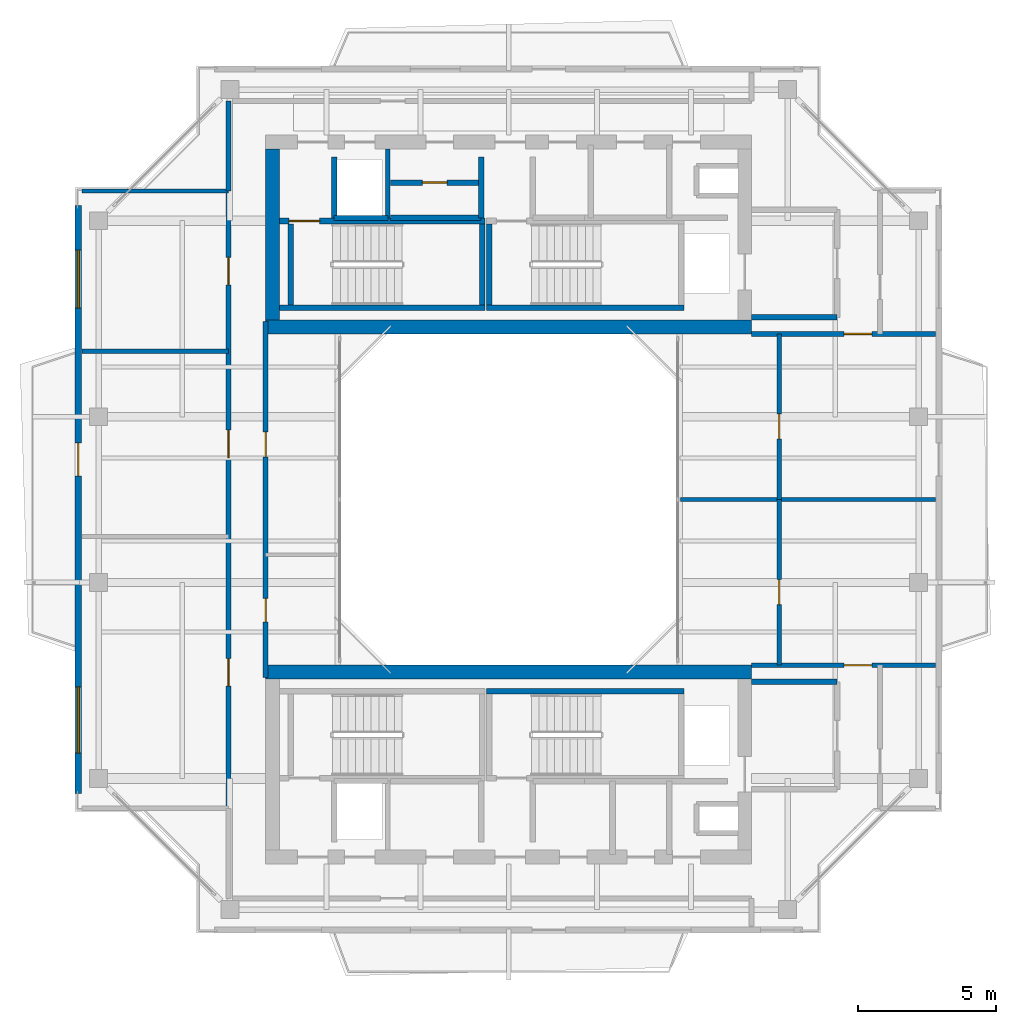
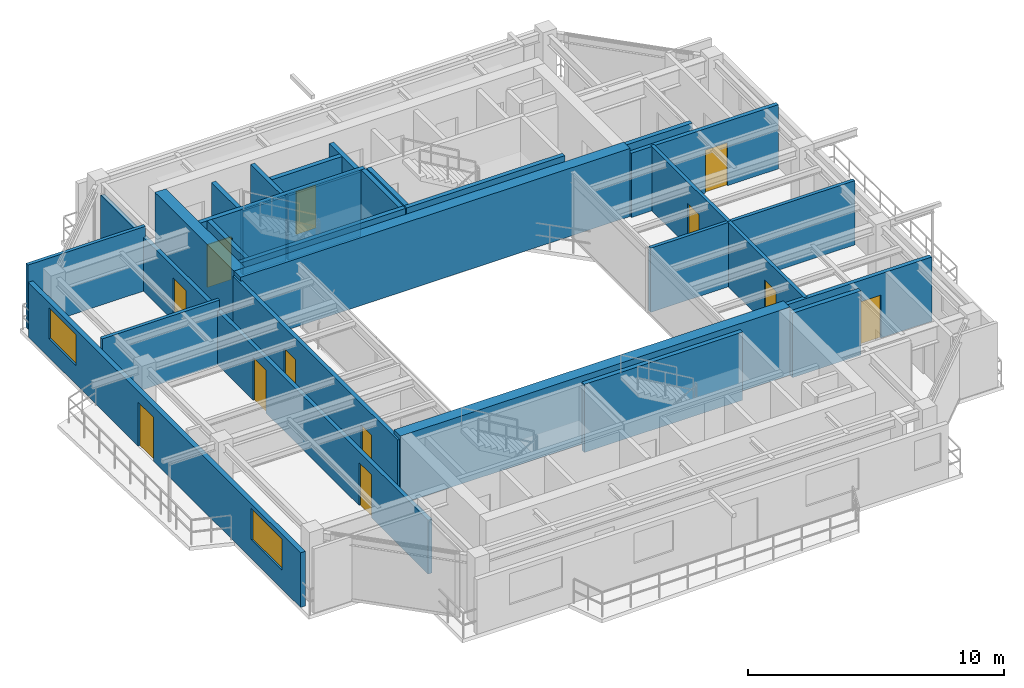
# One storey, part 10 of 14: 29 walls, 12 doors, 2 windows, 14 openings.
"""IFC4 building model written with IfcOpenShell, lengths in metres."""

from ifc_helpers import new_model, si_unit, direction, frame, frame_2d, origin, place, context, subcontext, project, spatial, rectangle, extrude, source, transform, mapped, material, layer, layer_set, type_object, element, fill, save


model = new_model("IFC4")

# Units and contexts
model_context = context("Model", 3, precision=1e-05, world=origin(), true_north=direction((0.0, 1.0)))
body_context = subcontext(model_context, "Body", "Model", "MODEL_VIEW")
ifc_project = project(units=[si_unit("LENGTHUNIT", "METRE"), si_unit("AREAUNIT", "SQUARE_METRE"), si_unit("VOLUMEUNIT", "CUBIC_METRE"), si_unit("PLANEANGLEUNIT", "RADIAN"), si_unit("MASSUNIT", "GRAM", prefix="KILO"), si_unit("THERMODYNAMICTEMPERATUREUNIT", "KELVIN"), si_unit("POWERUNIT", "WATT")], contexts=[model_context])

# Site, building, storey
site_placement = place(None, origin())
site = spatial("IfcSite", under=ifc_project, at=site_placement, CompositionType="ELEMENT")
building_placement = place(site_placement, origin())
building = spatial("IfcBuilding", under=site, at=building_placement, Name="Qiaomeng Ring Towers", CompositionType="ELEMENT")
storey_placement = place(building_placement, frame((0.0, 0.0, 240.5)))
storey = spatial("IfcBuildingStorey", under=building, at=storey_placement, Name="L70", CompositionType="ELEMENT", Elevation=240.5)

# Wall, openings, windows, door
ifc_material_1 = material(Name="Precast concrete C40", Category="concrete")
ifc_layer_1 = layer(ifc_material_1, 0.219970703125, Name="Precast concrete C40")
ifc_layer_set_1 = layer_set([ifc_layer_1], Name="Precast concrete C40")
wall_type_1 = type_object("IfcWallType", Name="ARC-WL-EW2", PredefinedType="STANDARD", material=ifc_layer_set_1)
wall_1_placement = place(storey_placement, frame((3.409912109375, 12.35009765625, 0.0), z_axis=(0.0, 0.0, 1.0), x_axis=(0.0, 1.0, 0.0)))
wall_1 = element("IfcWall", 1, at=wall_1_placement, inside=storey, type_object=wall_type_1, Name="L70 Tower 1 W Exterior Wall", PredefinedType="STANDARD", context=body_context, shape_type="SweptSolid", body=[
    extrude(rectangle(XDim=21.2998046875, YDim=0.219970703125, at=frame_2d((10.64990234375, 0.0))), origin(), (0.0, 0.0, 1.0), 2.610107421875),
])
opening_1_placement = place(wall_1_placement, frame((11.5, 0.0, 0.0)))
opening_1 = element("IfcOpeningElement", 2, at=opening_1_placement, cuts=wall_1, Name="Opening BD1", PredefinedType="OPENING", context=body_context, shape_type="SweptSolid", body=[
    extrude(rectangle(XDim=1.199951171875, YDim=2.10009765625, at=frame_2d((0.60009765625, 1.050048828125))), frame((0.0, 0.119873046875, 0.0), z_axis=(0.0, -1.0, 0.0), x_axis=(1.0, 0.0, 0.0)), (0.0, 0.0, 1.0), 0.239990234375),
])
opening_2_placement = place(wall_1_placement, frame((1.462890625, 0.0, 0.89990234375)))
opening_2 = element("IfcOpeningElement", 3, at=opening_2_placement, cuts=wall_1, Name="Opening WN6", PredefinedType="OPENING", context=body_context, shape_type="SweptSolid", body=[
    extrude(rectangle(XDim=2.39990234375, YDim=1.47998046875, at=frame_2d((1.199951171875, 0.739990234375))), frame((0.0, 0.119873046875, 0.0), z_axis=(0.0, -1.0, 0.0), x_axis=(1.0, 0.0, 0.0)), (0.0, 0.0, 1.0), 0.239990234375),
])
opening_3_placement = place(wall_1_placement, frame((17.587890625, 0.0, 0.89990234375)))
opening_3 = element("IfcOpeningElement", 4, at=opening_3_placement, cuts=wall_1, Name="Opening WN4", PredefinedType="OPENING", context=body_context, shape_type="SweptSolid", body=[
    extrude(rectangle(XDim=2.10009765625, YDim=1.47998046875, at=frame_2d((1.050048828125, 0.739990234375))), frame((0.0, 0.119873046875, 0.0), z_axis=(0.0, -1.0, 0.0), x_axis=(1.0, 0.0, 0.0)), (0.0, 0.0, 1.0), 0.239990234375),
])
ifc_material_2 = material(Name="Low-E dark-grey laminated double glazing", Category="glass")
window_type_1 = type_object("IfcWindowType", Name="ARC-WN-4", PartitioningType="TRIPLE_PANEL_VERTICAL", PredefinedType="WINDOW", material=ifc_material_2)
shared_shape_1 = source(origin(), body_context, "Body", "SweptSolid", [
    extrude(rectangle(XDim=2.10009765625, YDim=1.47998046875, at=frame_2d((1.050048828125, 0.739990234375))), frame((0.0, 0.030029296875, 0.0), z_axis=(0.0, -1.0, 0.0), x_axis=(1.0, 0.0, 0.0)), (0.0, 0.0, 1.0), 0.06005859375),
])
window_1_placement = place(opening_3_placement, origin())
window_1 = element("IfcWindow", 5, at=window_1_placement, inside=storey, type_object=window_type_1, Name="L70 Exterior Window WN4", OverallHeight=1.47998046875, OverallWidth=2.10009765625, PartitioningType="TRIPLE_PANEL_VERTICAL", PredefinedType="WINDOW", context=body_context, shape_type="MappedRepresentation", body=[
    mapped(shared_shape_1, transform((0.0, 0.0, 0.0), x_axis=(1.0, 0.0, 0.0), y_axis=(0.0, 1.0, 0.0), z_axis=(0.0, 0.0, 1.0), scale=1.0)),
])
fill(opening_3, window_1)
window_type_2 = type_object("IfcWindowType", Name="ARC-WN-6", PartitioningType="TRIPLE_PANEL_VERTICAL", PredefinedType="WINDOW", material=ifc_material_2)
shared_shape_2 = source(origin(), body_context, "Body", "SweptSolid", [
    extrude(rectangle(XDim=2.39990234375, YDim=1.47998046875, at=frame_2d((1.199951171875, 0.739990234375))), frame((0.0, 0.030029296875, 0.0), z_axis=(0.0, -1.0, 0.0), x_axis=(1.0, 0.0, 0.0)), (0.0, 0.0, 1.0), 0.06005859375),
])
window_2_placement = place(opening_2_placement, origin())
window_2 = element("IfcWindow", 6, at=window_2_placement, inside=storey, type_object=window_type_2, Name="L70 Exterior Window WN6", OverallHeight=1.47998046875, OverallWidth=2.39990234375, PartitioningType="TRIPLE_PANEL_VERTICAL", PredefinedType="WINDOW", context=body_context, shape_type="MappedRepresentation", body=[
    mapped(shared_shape_2, transform((0.0, 0.0, 0.0), x_axis=(1.0, 0.0, 0.0), y_axis=(0.0, 1.0, 0.0), z_axis=(0.0, 0.0, 1.0), scale=1.0)),
])
fill(opening_2, window_2)
door_type_1 = type_object("IfcDoorType", Name="ARC-DR-BD1", OperationType="NOTDEFINED", PredefinedType="DOOR", material=ifc_material_2)
shared_shape_3 = source(origin(), body_context, "Body", "SweptSolid", [
    extrude(rectangle(XDim=1.199951171875, YDim=2.10009765625, at=frame_2d((0.60009765625, 1.050048828125))), frame((0.0, 0.02490234375, 0.0), z_axis=(0.0, -1.0, 0.0), x_axis=(1.0, 0.0, 0.0)), (0.0, 0.0, 1.0), 0.050048828125),
])
door_1_placement = place(opening_1_placement, frame((1.199951171875, 0.0, 0.0), z_axis=(0.0, 0.0, 1.0), x_axis=(-1.0, 0.0, 0.0)))
door_1 = element("IfcDoor", 7, at=door_1_placement, inside=storey, type_object=door_type_1, Name="L70 W Balcony Glazed Door", OperationType="SINGLE_SWING_LEFT", OverallHeight=2.10009765625, OverallWidth=1.199951171875, PredefinedType="DOOR", context=body_context, shape_type="MappedRepresentation", body=[
    mapped(shared_shape_3, transform((0.0, 0.0, 0.0), x_axis=(1.0, 0.0, 0.0), y_axis=(0.0, 1.0, 0.0), z_axis=(0.0, 0.0, 1.0), scale=1.0)),
])
fill(opening_1, door_1)

# Walls
ifc_material_3 = material(Name="Autoclaved aerated concrete block", Category="concrete")
ifc_layer_2 = layer(ifc_material_3, 0.199951171875, Name="Autoclaved aerated concrete block")
ifc_layer_set_2 = layer_set([ifc_layer_2], Name="Autoclaved aerated concrete block")
wall_type_2 = type_object("IfcWallType", Name="ARC-WL-PW1", PredefinedType="PARTITIONING", material=ifc_layer_set_2)
for number, where, z_axis, x_axis, name in (
    (8, (27.800048828125, 29.60009765625, 0.0), (0.0, 0.0, 1.0), (1.0, 0.0, 0.0), "L70 Interior Wall PW1"),
    (9, (27.800048828125, 16.39990234375, 0.0), (0.0, 0.0, 1.0), (1.0, 0.0, 0.0), "L70 Interior Wall PW1"),
):
    element("IfcWall", number, at=place(storey_placement, frame(where, z_axis=z_axis, x_axis=x_axis)), inside=storey, type_object=wall_type_2, Name=name, PredefinedType="PARTITIONING", context=body_context, shape_type="SweptSolid", body=[
        extrude(rectangle(XDim=3.099853515625, YDim=0.199951171875, at=frame_2d((1.5498046875, 0.0))), origin(), (0.0, 0.0, 1.0), 3.070068359375),
    ])
for number, where, z_axis, x_axis, name in (
    (10, (12.679931640625, 33.18994140625, 0.0), (0.0, 0.0, 1.0), (0.0, 1.0, 0.0), "L70 Interior Wall PW1"),
    (11, (18.0, 33.18994140625, 0.0), (0.0, 0.0, 1.0), (0.0, 1.0, 0.0), "L70 Interior Wall PW1"),
):
    element("IfcWall", number, at=place(storey_placement, frame(where, z_axis=z_axis, x_axis=x_axis)), inside=storey, type_object=wall_type_2, Name=name, PredefinedType="PARTITIONING", context=body_context, shape_type="SweptSolid", body=[
        extrude(rectangle(XDim=2.2099609375, YDim=0.199951171875, at=frame_2d((1.10498046875, 0.0))), origin(), (0.0, 0.0, 1.0), 3.070068359375),
    ])

# Wall, opening, door
wall_2_placement = place(storey_placement, frame((14.719970703125, 34.47998046875, 0.0), z_axis=(0.0, 0.0, 1.0), x_axis=(1.0, 0.0, 0.0)))
wall_2 = element("IfcWall", 12, at=wall_2_placement, inside=storey, type_object=wall_type_2, Name="L70 Interior Wall PW1", PredefinedType="PARTITIONING", context=body_context, shape_type="SweptSolid", body=[
    extrude(rectangle(XDim=3.280029296875, YDim=0.199951171875, at=frame_2d((1.64013671875, 0.0))), origin(), (0.0, 0.0, 1.0), 3.070068359375),
])
opening_4_placement = place(wall_2_placement, frame((1.14990234375, 0.0, 0.0)))
opening_4 = element("IfcOpeningElement", 13, at=opening_4_placement, cuts=wall_2, Name="Opening ID1", PredefinedType="OPENING", context=body_context, shape_type="SweptSolid", body=[
    extrude(rectangle(XDim=0.89990234375, YDim=2.050048828125, at=frame_2d((0.449951171875, 1.02490234375))), frame((0.0, 0.10986328125, 0.0), z_axis=(0.0, -1.0, 0.0), x_axis=(1.0, 0.0, 0.0)), (0.0, 0.0, 1.0), 0.219970703125),
])
ifc_material_4 = material(Name="Engineered oak timber", Category="wood")
door_type_2 = type_object("IfcDoorType", Name="ARC-DR-ID1", OperationType="NOTDEFINED", PredefinedType="DOOR", material=ifc_material_4)
shared_shape_4 = source(origin(), body_context, "Body", "SweptSolid", [
    extrude(rectangle(XDim=0.89990234375, YDim=2.050048828125, at=frame_2d((0.449951171875, 1.02490234375))), frame((0.0, 0.02490234375, 0.0), z_axis=(0.0, -1.0, 0.0), x_axis=(1.0, 0.0, 0.0)), (0.0, 0.0, 1.0), 0.050048828125),
])
door_2_placement = place(opening_4_placement, origin())
door_2 = element("IfcDoor", 14, at=door_2_placement, inside=storey, type_object=door_type_2, Name="L70 Door ID1", OperationType="SINGLE_SWING_RIGHT", OverallHeight=2.050048828125, OverallWidth=0.89990234375, PredefinedType="DOOR", context=body_context, shape_type="MappedRepresentation", body=[
    mapped(shared_shape_4, transform((0.0, 0.0, 0.0), x_axis=(1.0, 0.0, 0.0), y_axis=(0.0, 1.0, 0.0), z_axis=(0.0, 0.0, 1.0), scale=1.0)),
])
fill(opening_4, door_2)

# Walls
wall_3_placement = place(storey_placement, frame((14.719970703125, 33.199951171875, 0.0), z_axis=(0.0, 0.0, 1.0), x_axis=(1.0, 0.0, 0.0)))
element("IfcWall", 15, at=wall_3_placement, inside=storey, type_object=wall_type_2, Name="L70 Interior Wall PW1", PredefinedType="PARTITIONING", context=body_context, shape_type="SweptSolid", body=[
    extrude(rectangle(XDim=3.280029296875, YDim=0.199951171875, at=frame_2d((1.64013671875, 0.0))), origin(), (0.0, 0.0, 1.0), 3.070068359375),
])
ifc_layer_3 = layer(ifc_material_3, 0.179931640625, Name="Autoclaved aerated concrete block")
ifc_layer_set_3 = layer_set([ifc_layer_3], Name="Autoclaved aerated concrete block")
wall_type_3 = type_object("IfcWallType", Name="ARC-WL-PW2", PredefinedType="PARTITIONING", material=ifc_layer_set_3)
wall_4_placement = place(storey_placement, frame((8.85009765625, 34.179931640625, 0.0), z_axis=(0.0, 0.0, 1.0), x_axis=(0.0, 1.0, 0.0)))
element("IfcWall", 16, at=wall_4_placement, inside=storey, type_object=wall_type_3, Name="L70 Interior Wall PW2", PredefinedType="PARTITIONING", context=body_context, shape_type="SweptSolid", body=[
    extrude(rectangle(XDim=3.260009765625, YDim=0.179931640625, at=frame_2d((1.6298828125, 0.0))), origin(), (0.0, 0.0, 1.0), 2.569091796875),
])

# Wall, openings, doors
wall_5_placement = place(storey_placement, frame((8.85009765625, 11.820068359375, 0.0), z_axis=(0.0, 0.0, 1.0), x_axis=(0.0, 1.0, 0.0)))
wall_5 = element("IfcWall", 17, at=wall_5_placement, inside=storey, type_object=wall_type_3, Name="L70 Interior Wall PW2", PredefinedType="PARTITIONING", context=body_context, shape_type="SweptSolid", body=[
    extrude(rectangle(XDim=22.35986328125, YDim=0.179931640625, at=frame_2d((11.179931640625, 0.0))), origin(), (0.0, 0.0, 1.0), 2.569091796875),
])
opening_5_placement = place(wall_5_placement, frame((4.419921875, 0.0, 0.0)))
opening_5 = element("IfcOpeningElement", 18, at=opening_5_placement, cuts=wall_5, Name="Opening FD4", PredefinedType="OPENING", context=body_context, shape_type="SweptSolid", body=[
    extrude(rectangle(XDim=1.0, YDim=2.050048828125, at=frame_2d((0.5, 1.02490234375))), frame((0.0, 0.099853515625, 0.0), z_axis=(0.0, -1.0, 0.0), x_axis=(1.0, 0.0, 0.0)), (0.0, 0.0, 1.0), 0.199951171875),
])
opening_6_placement = place(wall_5_placement, frame((12.695068359375, 0.0, 0.0)))
opening_6 = element("IfcOpeningElement", 19, at=opening_6_placement, cuts=wall_5, Name="Opening FD4", PredefinedType="OPENING", context=body_context, shape_type="SweptSolid", body=[
    extrude(rectangle(XDim=1.0, YDim=2.050048828125, at=frame_2d((0.5, 1.02490234375))), frame((0.0, 0.099853515625, 0.0), z_axis=(0.0, -1.0, 0.0), x_axis=(1.0, 0.0, 0.0)), (0.0, 0.0, 1.0), 0.199951171875),
])
opening_7_placement = place(wall_5_placement, frame((18.955078125, 0.0, 0.0)))
opening_7 = element("IfcOpeningElement", 20, at=opening_7_placement, cuts=wall_5, Name="Opening FD4", PredefinedType="OPENING", context=body_context, shape_type="SweptSolid", body=[
    extrude(rectangle(XDim=1.0, YDim=2.050048828125, at=frame_2d((0.5, 1.02490234375))), frame((0.0, 0.099853515625, 0.0), z_axis=(0.0, -1.0, 0.0), x_axis=(1.0, 0.0, 0.0)), (0.0, 0.0, 1.0), 0.199951171875),
])
ifc_material_5 = material(Name="Engineered fire-rated oak timber", Category="wood")
door_type_3 = type_object("IfcDoorType", Name="ARC-DR-FD4", OperationType="NOTDEFINED", PredefinedType="DOOR", material=ifc_material_5)
shared_shape_5 = source(origin(), body_context, "Body", "SweptSolid", [
    extrude(rectangle(XDim=1.0, YDim=2.050048828125, at=frame_2d((0.5, 1.02490234375))), frame((0.0, 0.02490234375, 0.0), z_axis=(0.0, -1.0, 0.0), x_axis=(1.0, 0.0, 0.0)), (0.0, 0.0, 1.0), 0.050048828125),
])
door_3_placement = place(opening_5_placement, origin())
door_3 = element("IfcDoor", 21, at=door_3_placement, inside=storey, type_object=door_type_3, Name="L70 Door FD4", OperationType="SINGLE_SWING_LEFT", OverallHeight=2.050048828125, OverallWidth=1.0, PredefinedType="DOOR", context=body_context, shape_type="MappedRepresentation", body=[
    mapped(shared_shape_5, transform((0.0, 0.0, 0.0), x_axis=(1.0, 0.0, 0.0), y_axis=(0.0, 1.0, 0.0), z_axis=(0.0, 0.0, 1.0), scale=1.0)),
])
fill(opening_5, door_3)
door_4_placement = place(opening_6_placement, origin())
door_4 = element("IfcDoor", 22, at=door_4_placement, inside=storey, type_object=door_type_3, Name="L70 Door FD4", OperationType="SINGLE_SWING_RIGHT", OverallHeight=2.050048828125, OverallWidth=1.0, PredefinedType="DOOR", context=body_context, shape_type="MappedRepresentation", body=[
    mapped(shared_shape_5, transform((0.0, 0.0, 0.0), x_axis=(1.0, 0.0, 0.0), y_axis=(0.0, 1.0, 0.0), z_axis=(0.0, 0.0, 1.0), scale=1.0)),
])
fill(opening_6, door_4)
door_5_placement = place(opening_7_placement, origin())
door_5 = element("IfcDoor", 23, at=door_5_placement, inside=storey, type_object=door_type_3, Name="L70 Door FD4", OperationType="SINGLE_SWING_LEFT", OverallHeight=2.050048828125, OverallWidth=1.0, PredefinedType="DOOR", context=body_context, shape_type="MappedRepresentation", body=[
    mapped(shared_shape_5, transform((0.0, 0.0, 0.0), x_axis=(1.0, 0.0, 0.0), y_axis=(0.0, 1.0, 0.0), z_axis=(0.0, 0.0, 1.0), scale=1.0)),
])
fill(opening_7, door_5)

wall_6_placement = place(storey_placement, frame((10.199951171875, 16.550048828125, 0.0), z_axis=(0.0, 0.0, 1.0), x_axis=(0.0, 1.0, 0.0)))
wall_6 = element("IfcWall", 24, at=wall_6_placement, inside=storey, type_object=wall_type_3, Name="L70 Interior Wall PW2", PredefinedType="PARTITIONING", context=body_context, shape_type="SweptSolid", body=[
    extrude(rectangle(XDim=12.89990234375, YDim=0.179931640625, at=frame_2d((6.449951171875, 0.0))), origin(), (0.0, 0.0, 1.0), 3.070068359375),
])
opening_8_placement = place(wall_6_placement, frame((2.02490234375, 0.0, 0.0)))
opening_8 = element("IfcOpeningElement", 25, at=opening_8_placement, cuts=wall_6, Name="Opening ID2", PredefinedType="OPENING", context=body_context, shape_type="SweptSolid", body=[
    extrude(rectangle(XDim=0.85009765625, YDim=2.050048828125, at=frame_2d((0.425048828125, 1.02490234375))), frame((0.0, 0.099853515625, 0.0), z_axis=(0.0, -1.0, 0.0), x_axis=(1.0, 0.0, 0.0)), (0.0, 0.0, 1.0), 0.199951171875),
])
opening_9_placement = place(wall_6_placement, frame((8.0, 0.0, 0.0)))
opening_9 = element("IfcOpeningElement", 26, at=opening_9_placement, cuts=wall_6, Name="Opening ID1", PredefinedType="OPENING", context=body_context, shape_type="SweptSolid", body=[
    extrude(rectangle(XDim=0.89990234375, YDim=2.050048828125, at=frame_2d((0.449951171875, 1.02490234375))), frame((0.0, 0.099853515625, 0.0), z_axis=(0.0, -1.0, 0.0), x_axis=(1.0, 0.0, 0.0)), (0.0, 0.0, 1.0), 0.199951171875),
])
ifc_material_6 = material(Name="Moisture-resistant engineered timber", Category="wood")
door_type_4 = type_object("IfcDoorType", Name="ARC-DR-ID2", OperationType="NOTDEFINED", PredefinedType="DOOR", material=ifc_material_6)
shared_shape_6 = source(origin(), body_context, "Body", "SweptSolid", [
    extrude(rectangle(XDim=0.85009765625, YDim=2.050048828125, at=frame_2d((0.425048828125, 1.02490234375))), frame((0.0, 0.02490234375, 0.0), z_axis=(0.0, -1.0, 0.0), x_axis=(1.0, 0.0, 0.0)), (0.0, 0.0, 1.0), 0.050048828125),
])
door_6_placement = place(opening_8_placement, origin())
door_6 = element("IfcDoor", 27, at=door_6_placement, inside=storey, type_object=door_type_4, Name="L70 Door ID2", OperationType="SINGLE_SWING_RIGHT", OverallHeight=2.050048828125, OverallWidth=0.85009765625, PredefinedType="DOOR", context=body_context, shape_type="MappedRepresentation", body=[
    mapped(shared_shape_6, transform((0.0, 0.0, 0.0), x_axis=(1.0, 0.0, 0.0), y_axis=(0.0, 1.0, 0.0), z_axis=(0.0, 0.0, 1.0), scale=1.0)),
])
fill(opening_8, door_6)
door_7_placement = place(opening_9_placement, origin())
door_7 = element("IfcDoor", 28, at=door_7_placement, inside=storey, type_object=door_type_2, Name="L70 Door ID1", OperationType="SINGLE_SWING_LEFT", OverallHeight=2.050048828125, OverallWidth=0.89990234375, PredefinedType="DOOR", context=body_context, shape_type="MappedRepresentation", body=[
    mapped(shared_shape_4, transform((0.0, 0.0, 0.0), x_axis=(1.0, 0.0, 0.0), y_axis=(0.0, 1.0, 0.0), z_axis=(0.0, 0.0, 1.0), scale=1.0)),
])
fill(opening_9, door_7)

# Wall, opening, door
wall_7_placement = place(storey_placement, frame((27.800048828125, 17.0, 0.0), z_axis=(0.0, 0.0, 1.0), x_axis=(1.0, 0.0, 0.0)))
wall_7 = element("IfcWall", 29, at=wall_7_placement, inside=storey, type_object=wall_type_3, Name="L70 Interior Wall PW2", PredefinedType="PARTITIONING", context=body_context, shape_type="SweptSolid", body=[
    extrude(rectangle(XDim=6.64990234375, YDim=0.179931640625, at=frame_2d((3.324951171875, 0.0))), origin(), (0.0, 0.0, 1.0), 3.070068359375),
])
opening_10_placement = place(wall_7_placement, frame((3.35009765625, 0.0, 0.0)))
opening_10 = element("IfcOpeningElement", 30, at=opening_10_placement, cuts=wall_7, Name="Opening FD4", PredefinedType="OPENING", context=body_context, shape_type="SweptSolid", body=[
    extrude(rectangle(XDim=1.0, YDim=2.050048828125, at=frame_2d((0.5, 1.02490234375))), frame((0.0, 0.099853515625, 0.0), z_axis=(0.0, -1.0, 0.0), x_axis=(1.0, 0.0, 0.0)), (0.0, 0.0, 1.0), 0.199951171875),
])
door_8_placement = place(opening_10_placement, origin())
door_8 = element("IfcDoor", 31, at=door_8_placement, inside=storey, type_object=door_type_3, Name="L70 Door FD4", OperationType="SINGLE_SWING_RIGHT", OverallHeight=2.050048828125, OverallWidth=1.0, PredefinedType="DOOR", context=body_context, shape_type="MappedRepresentation", body=[
    mapped(shared_shape_5, transform((0.0, 0.0, 0.0), x_axis=(1.0, 0.0, 0.0), y_axis=(0.0, 1.0, 0.0), z_axis=(0.0, 0.0, 1.0), scale=1.0)),
])
fill(opening_10, door_8)

wall_8_placement = place(storey_placement, frame((27.800048828125, 29.0, 0.0), z_axis=(0.0, 0.0, 1.0), x_axis=(1.0, 0.0, 0.0)))
wall_8 = element("IfcWall", 32, at=wall_8_placement, inside=storey, type_object=wall_type_3, Name="L70 Interior Wall PW2", PredefinedType="PARTITIONING", context=body_context, shape_type="SweptSolid", body=[
    extrude(rectangle(XDim=6.64990234375, YDim=0.179931640625, at=frame_2d((3.324951171875, 0.0))), origin(), (0.0, 0.0, 1.0), 3.070068359375),
])
opening_11_placement = place(wall_8_placement, frame((3.35009765625, 0.0, 0.0)))
opening_11 = element("IfcOpeningElement", 33, at=opening_11_placement, cuts=wall_8, Name="Opening FD4", PredefinedType="OPENING", context=body_context, shape_type="SweptSolid", body=[
    extrude(rectangle(XDim=1.0, YDim=2.050048828125, at=frame_2d((0.5, 1.02490234375))), frame((0.0, 0.099853515625, 0.0), z_axis=(0.0, -1.0, 0.0), x_axis=(1.0, 0.0, 0.0)), (0.0, 0.0, 1.0), 0.199951171875),
])
door_9_placement = place(opening_11_placement, origin())
door_9 = element("IfcDoor", 34, at=door_9_placement, inside=storey, type_object=door_type_3, Name="L70 Door FD4", OperationType="SINGLE_SWING_LEFT", OverallHeight=2.050048828125, OverallWidth=1.0, PredefinedType="DOOR", context=body_context, shape_type="MappedRepresentation", body=[
    mapped(shared_shape_5, transform((0.0, 0.0, 0.0), x_axis=(1.0, 0.0, 0.0), y_axis=(0.0, 1.0, 0.0), z_axis=(0.0, 0.0, 1.0), scale=1.0)),
])
fill(opening_11, door_9)

# Walls
ifc_material_7 = material(Name="Gypsum fireboard steel-stud partition", Category="steel")
ifc_layer_4 = layer(ifc_material_7, 0.14990234375, Name="Gypsum fireboard steel-stud partition")
ifc_layer_set_4 = layer_set([ifc_layer_4], Name="Gypsum fireboard steel-stud partition")
wall_type_4 = type_object("IfcWallType", Name="ARC-WL-PW3", PredefinedType="PARTITIONING", material=ifc_layer_set_4)
for number, where, z_axis, x_axis, name in (
    (35, (3.550048828125, 34.179931640625, 0.0), (0.0, 0.0, 1.0), (1.0, 0.0, 0.0), "L70 Interior Wall PW3"),
    (36, (3.550048828125, 28.3701171875, 0.0), (0.0, 0.0, 1.0), (1.0, 0.0, 0.0), "L70 Interior Wall PW3"),
):
    element("IfcWall", number, at=place(storey_placement, frame(where, z_axis=z_axis, x_axis=x_axis)), inside=storey, type_object=wall_type_4, Name=name, PredefinedType="PARTITIONING", context=body_context, shape_type="SweptSolid", body=[
        extrude(rectangle(XDim=5.300048828125, YDim=0.14990234375, at=frame_2d((2.64990234375, 0.0))), origin(), (0.0, 0.0, 1.0), 3.070068359375),
    ])

# Wall, opening, door
wall_9_placement = place(storey_placement, frame((28.800048828125, 17.0, 0.0), z_axis=(0.0, 0.0, 1.0), x_axis=(0.0, 1.0, 0.0)))
wall_9 = element("IfcWall", 37, at=wall_9_placement, inside=storey, type_object=wall_type_4, Name="L70 Interior Wall PW3", PredefinedType="PARTITIONING", context=body_context, shape_type="SweptSolid", body=[
    extrude(rectangle(XDim=6.0, YDim=0.14990234375, at=frame_2d((3.0, 0.0))), origin(), (0.0, 0.0, 1.0), 3.070068359375),
])
opening_12_placement = place(wall_9_placement, frame((2.199951171875, 0.0, 0.0)))
opening_12 = element("IfcOpeningElement", 38, at=opening_12_placement, cuts=wall_9, Name="Opening ID1", PredefinedType="OPENING", context=body_context, shape_type="SweptSolid", body=[
    extrude(rectangle(XDim=0.89990234375, YDim=2.050048828125, at=frame_2d((0.449951171875, 1.02490234375))), frame((0.0, 0.0849609375, 0.0), z_axis=(0.0, -1.0, 0.0), x_axis=(1.0, 0.0, 0.0)), (0.0, 0.0, 1.0), 0.169921875),
])
door_10_placement = place(opening_12_placement, origin())
door_10 = element("IfcDoor", 39, at=door_10_placement, inside=storey, type_object=door_type_2, Name="L70 Door ID1", OperationType="SINGLE_SWING_RIGHT", OverallHeight=2.050048828125, OverallWidth=0.89990234375, PredefinedType="DOOR", context=body_context, shape_type="MappedRepresentation", body=[
    mapped(shared_shape_4, transform((0.0, 0.0, 0.0), x_axis=(1.0, 0.0, 0.0), y_axis=(0.0, 1.0, 0.0), z_axis=(0.0, 0.0, 1.0), scale=1.0)),
])
fill(opening_12, door_10)

wall_10_placement = place(storey_placement, frame((28.800048828125, 23.0, 0.0), z_axis=(0.0, 0.0, 1.0), x_axis=(0.0, 1.0, 0.0)))
wall_10 = element("IfcWall", 40, at=wall_10_placement, inside=storey, type_object=wall_type_4, Name="L70 Interior Wall PW3", PredefinedType="PARTITIONING", context=body_context, shape_type="SweptSolid", body=[
    extrude(rectangle(XDim=6.0, YDim=0.14990234375, at=frame_2d((3.0, 0.0))), origin(), (0.0, 0.0, 1.0), 3.070068359375),
])
opening_13_placement = place(wall_10_placement, frame((2.199951171875, 0.0, 0.0)))
opening_13 = element("IfcOpeningElement", 41, at=opening_13_placement, cuts=wall_10, Name="Opening ID1", PredefinedType="OPENING", context=body_context, shape_type="SweptSolid", body=[
    extrude(rectangle(XDim=0.89990234375, YDim=2.050048828125, at=frame_2d((0.449951171875, 1.02490234375))), frame((0.0, 0.0849609375, 0.0), z_axis=(0.0, -1.0, 0.0), x_axis=(1.0, 0.0, 0.0)), (0.0, 0.0, 1.0), 0.169921875),
])
door_11_placement = place(opening_13_placement, origin())
door_11 = element("IfcDoor", 42, at=door_11_placement, inside=storey, type_object=door_type_2, Name="L70 Door ID1", OperationType="SINGLE_SWING_LEFT", OverallHeight=2.050048828125, OverallWidth=0.89990234375, PredefinedType="DOOR", context=body_context, shape_type="MappedRepresentation", body=[
    mapped(shared_shape_4, transform((0.0, 0.0, 0.0), x_axis=(1.0, 0.0, 0.0), y_axis=(0.0, 1.0, 0.0), z_axis=(0.0, 0.0, 1.0), scale=1.0)),
])
fill(opening_13, door_11)

# Walls
wall_11_placement = place(storey_placement, frame((25.219970703125, 23.0, 0.0), z_axis=(0.0, 0.0, 1.0), x_axis=(1.0, 0.0, 0.0)))
element("IfcWall", 43, at=wall_11_placement, inside=storey, type_object=wall_type_4, Name="L70 Interior Wall PW3", PredefinedType="PARTITIONING", context=body_context, shape_type="SweptSolid", body=[
    extrude(rectangle(XDim=9.22998046875, YDim=0.14990234375, at=frame_2d((4.614990234375, 0.0))), origin(), (0.0, 0.0, 1.0), 3.070068359375),
])
ifc_material_8 = material(Name="Concrete C40", Category="concrete")
ifc_layer_5 = layer(ifc_material_8, 0.199951171875, Name="Concrete C40")
ifc_layer_set_5 = layer_set([ifc_layer_5], Name="Concrete C40")
wall_type_5 = type_object("IfcWallType", Name="STR-WL-STSHAFT", PredefinedType="SHEAR", material=ifc_layer_set_5)
wall_12_placement = place(storey_placement, frame((12.679931640625, 33.199951171875, 0.0), z_axis=(0.0, 0.0, 1.0), x_axis=(1.0, 0.0, 0.0)))
element("IfcWall", 44, at=wall_12_placement, inside=storey, type_object=wall_type_5, Name="L70 Lift LP5 Shaft Back Wall", PredefinedType="SHEAR", context=body_context, shape_type="SweptSolid", body=[
    extrude(rectangle(XDim=1.940185546875, YDim=0.179931640625, at=frame_2d((0.97021484375, 0.0))), origin(), (0.0, 0.0, 1.0), 3.070068359375),
])
wall_13_placement = place(storey_placement, frame((14.6201171875, 33.199951171875, 0.0), z_axis=(0.0, 0.0, 1.0), x_axis=(0.0, 1.0, 0.0)))
element("IfcWall", 45, at=wall_13_placement, inside=storey, type_object=wall_type_5, Name="L70 Lift LP5-LP3 Shaft Divider Wall", PredefinedType="SHEAR", context=body_context, shape_type="SweptSolid", body=[
    extrude(rectangle(XDim=2.5, YDim=0.179931640625, at=frame_2d((1.25, 0.0))), origin(), (0.0, 0.0, 1.0), 3.070068359375),
])
wall_14_placement = place(storey_placement, frame((10.699951171875, 29.949951171875, 0.0), z_axis=(0.0, 0.0, 1.0), x_axis=(1.0, 0.0, 0.0)))
element("IfcWall", 46, at=wall_14_placement, inside=storey, type_object=wall_type_5, Name="L70 Stair ST1 South Shaft Shear Wall", PredefinedType="SHEAR", context=body_context, shape_type="SweptSolid", body=[
    extrude(rectangle(XDim=7.449951171875, YDim=0.199951171875, at=frame_2d((3.72509765625, 0.0))), origin(), (0.0, 0.0, 1.0), 3.25),
])

# Wall, opening, door
wall_15_placement = place(storey_placement, frame((10.699951171875, 33.090087890625, 0.0), z_axis=(0.0, 0.0, 1.0), x_axis=(1.0, 0.0, 0.0)))
wall_15 = element("IfcWall", 47, at=wall_15_placement, inside=storey, type_object=wall_type_5, Name="L70 Stair ST1 North Shaft Shear Wall", PredefinedType="SHEAR", context=body_context, shape_type="SweptSolid", body=[
    extrude(rectangle(XDim=7.449951171875, YDim=0.199951171875, at=frame_2d((3.72509765625, 0.0))), origin(), (0.0, 0.0, 1.0), 3.25),
])
opening_14_placement = place(wall_15_placement, frame((0.35009765625, 0.0, 0.0)))
opening_14 = element("IfcOpeningElement", 48, at=opening_14_placement, cuts=wall_15, Name="Opening FD3", PredefinedType="OPENING", context=body_context, shape_type="SweptSolid", body=[
    extrude(rectangle(XDim=1.10009765625, YDim=2.050048828125, at=frame_2d((0.550048828125, 1.02490234375))), frame((0.0, 0.10986328125, 0.0), z_axis=(0.0, -1.0, 0.0), x_axis=(1.0, 0.0, 0.0)), (0.0, 0.0, 1.0), 0.219970703125),
])
ifc_material_9 = material(Name="Galvanised steel", Category="steel")
door_type_5 = type_object("IfcDoorType", Name="ARC-DR-FD3", OperationType="NOTDEFINED", PredefinedType="DOOR", material=ifc_material_9)
shared_shape_7 = source(origin(), body_context, "Body", "SweptSolid", [
    extrude(rectangle(XDim=1.10009765625, YDim=2.050048828125, at=frame_2d((0.550048828125, 1.02490234375))), frame((0.0, 0.02490234375, 0.0), z_axis=(0.0, -1.0, 0.0), x_axis=(1.0, 0.0, 0.0)), (0.0, 0.0, 1.0), 0.050048828125),
])
door_12_placement = place(opening_14_placement, origin())
door_12 = element("IfcDoor", 49, at=door_12_placement, inside=storey, type_object=door_type_5, Name="L70 Stair ST1 Exit Door", OperationType="SINGLE_SWING_LEFT", OverallHeight=2.050048828125, OverallWidth=1.10009765625, PredefinedType="DOOR", context=body_context, shape_type="MappedRepresentation", body=[
    mapped(shared_shape_7, transform((0.0, 0.0, 0.0), x_axis=(1.0, 0.0, 0.0), y_axis=(0.0, 1.0, 0.0), z_axis=(0.0, 0.0, 1.0), scale=1.0)),
])
fill(opening_14, door_12)

# Walls
for number, where, z_axis, x_axis, name in (
    (50, (11.10009765625, 30.050048828125, 0.0), (0.0, 0.0, 1.0), (0.0, 1.0, 0.0), "L70 Stair ST1 West Shaft Shear Wall"),
    (51, (18.050048828125, 30.050048828125, 0.0), (0.0, 0.0, 1.0), (0.0, 1.0, 0.0), "L70 Stair ST1 East Shaft Shear Wall"),
):
    element("IfcWall", number, at=place(storey_placement, frame(where, z_axis=z_axis, x_axis=x_axis)), inside=storey, type_object=wall_type_5, Name=name, PredefinedType="SHEAR", context=body_context, shape_type="SweptSolid", body=[
        extrude(rectangle(XDim=2.93994140625, YDim=0.199951171875, at=frame_2d((1.469970703125, 0.0))), origin(), (0.0, 0.0, 1.0), 3.25),
    ])
wall_16_placement = place(storey_placement, frame((18.199951171875, 29.949951171875, 0.0), z_axis=(0.0, 0.0, 1.0), x_axis=(1.0, 0.0, 0.0)))
element("IfcWall", 52, at=wall_16_placement, inside=storey, type_object=wall_type_5, Name="L70 Stair ST2 South Shaft Shear Wall", PredefinedType="SHEAR", context=body_context, shape_type="SweptSolid", body=[
    extrude(rectangle(XDim=7.150146484375, YDim=0.199951171875, at=frame_2d((3.5751953125, 0.0))), origin(), (0.0, 0.0, 1.0), 3.25),
])
wall_17_placement = place(storey_placement, frame((18.300048828125, 30.050048828125, 0.0), z_axis=(0.0, 0.0, 1.0), x_axis=(0.0, 1.0, 0.0)))
element("IfcWall", 53, at=wall_17_placement, inside=storey, type_object=wall_type_5, Name="L70 Stair ST2 West Shaft Shear Wall", PredefinedType="SHEAR", context=body_context, shape_type="SweptSolid", body=[
    extrude(rectangle(XDim=2.93994140625, YDim=0.199951171875, at=frame_2d((1.469970703125, 0.0))), origin(), (0.0, 0.0, 1.0), 3.25),
])
wall_18_placement = place(storey_placement, frame((18.199951171875, 16.050048828125, 0.0), z_axis=(0.0, 0.0, 1.0), x_axis=(1.0, 0.0, 0.0)))
element("IfcWall", 54, at=wall_18_placement, inside=storey, type_object=wall_type_5, Name="L70 Stair ST4 North Shaft Shear Wall", PredefinedType="SHEAR", context=body_context, shape_type="SweptSolid", body=[
    extrude(rectangle(XDim=7.150146484375, YDim=0.199951171875, at=frame_2d((3.5751953125, 0.0))), origin(), (0.0, 0.0, 1.0), 3.25),
])
ifc_layer_6 = layer(ifc_material_8, 0.5, Name="Concrete C40")
ifc_layer_set_6 = layer_set([ifc_layer_6], Name="Concrete C40")
wall_type_6 = type_object("IfcWallType", Name="STR-WL-SW3", PredefinedType="SHEAR", material=ifc_layer_set_6)
wall_19_placement = place(storey_placement, frame((10.199951171875, 29.25, 0.0), z_axis=(0.0, 0.0, 1.0), x_axis=(1.0, 0.0, 0.0)))
element("IfcWall", 55, at=wall_19_placement, inside=storey, type_object=wall_type_6, Name="L70 T1NC south core shear wall", PredefinedType="SHEAR", context=body_context, shape_type="SweptSolid", body=[
    extrude(rectangle(XDim=17.60009765625, YDim=0.5, at=frame_2d((8.800048828125, 0.0))), origin(), (0.0, 0.0, 1.0), 3.25),
])
wall_20_placement = place(storey_placement, frame((10.449951171875, 29.5, 0.0), z_axis=(0.0, 0.0, 1.0), x_axis=(0.0, 1.0, 0.0)))
element("IfcWall", 56, at=wall_20_placement, inside=storey, type_object=wall_type_6, Name="L70 T1NC west core shear wall", PredefinedType="SHEAR", context=body_context, shape_type="SweptSolid", body=[
    extrude(rectangle(XDim=6.199951171875, YDim=0.5, at=frame_2d((3.10009765625, 0.0))), origin(), (0.0, 0.0, 1.0), 3.25),
])
wall_21_placement = place(storey_placement, frame((10.199951171875, 16.75, 0.0), z_axis=(0.0, 0.0, 1.0), x_axis=(1.0, 0.0, 0.0)))
element("IfcWall", 57, at=wall_21_placement, inside=storey, type_object=wall_type_6, Name="L70 T1SC north core shear wall", PredefinedType="SHEAR", context=body_context, shape_type="SweptSolid", body=[
    extrude(rectangle(XDim=17.60009765625, YDim=0.5, at=frame_2d((8.800048828125, 0.0))), origin(), (0.0, 0.0, 1.0), 3.25),
])

save(model, "model.ifc")
